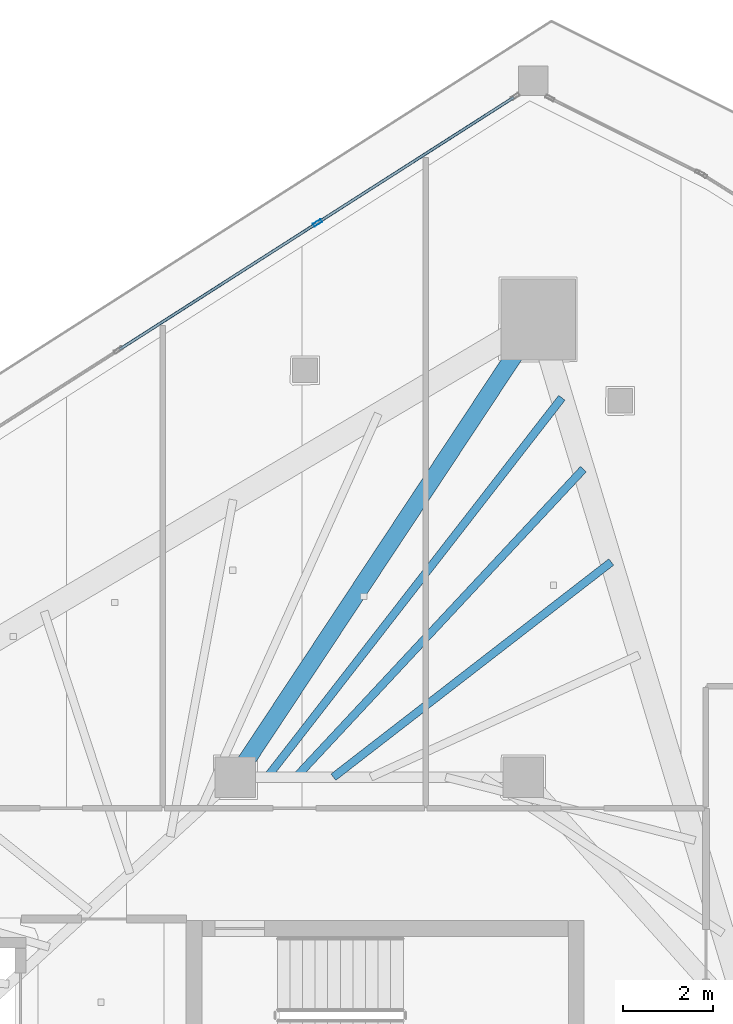
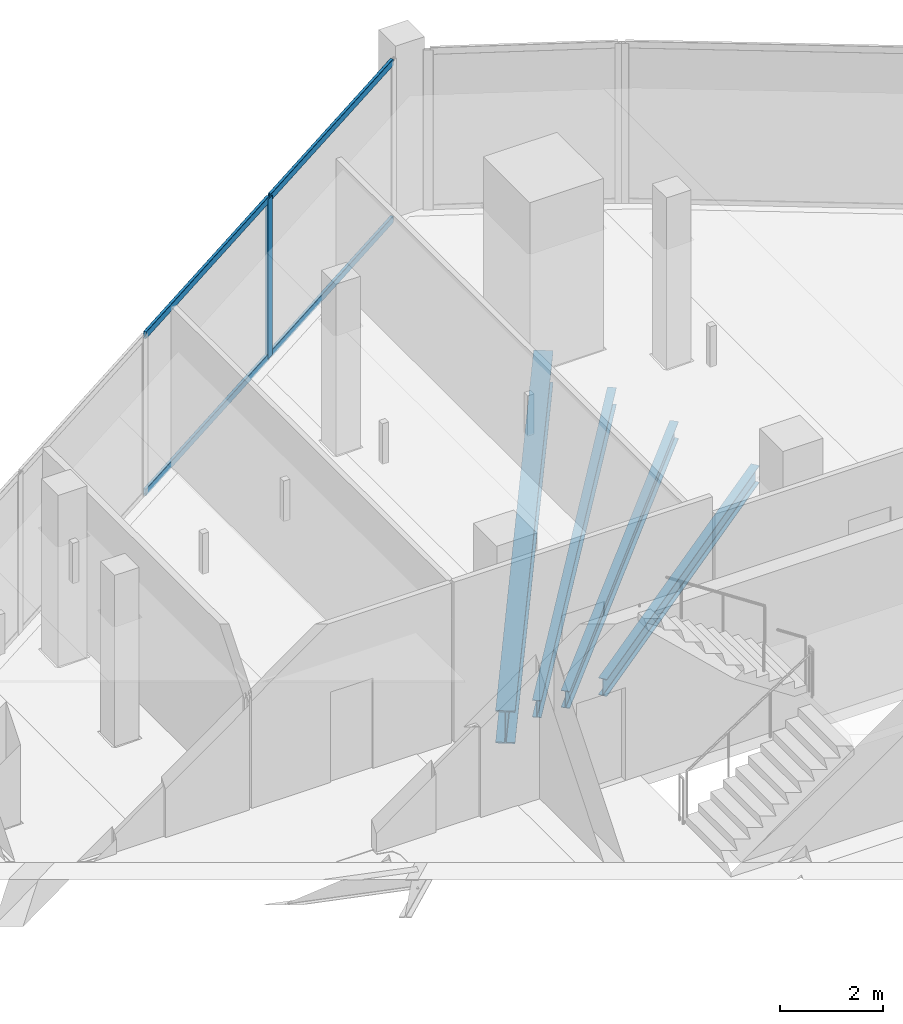
# One storey, part 20 of 36: 5 members, 4 beams, 1 element without a shape of its own.
"""IFC4 building model written with IfcOpenShell, lengths in metres."""

from ifc_helpers import new_model, si_unit, direction, frame, origin, origin_2d, place, context, subcontext, project, spatial, hollow_rectangle, i_section, extrude, material, layer, layer_set, material_profile, profile_set, type_object, element, aggregate, save


model = new_model("IFC4")

# Units and contexts
model_context = context("Model", 3, precision=1e-05, world=origin(), true_north=direction((0.0, 1.0)))
body_context = subcontext(model_context, "Body", "Model", "MODEL_VIEW")
ifc_project = project(units=[si_unit("LENGTHUNIT", "METRE"), si_unit("AREAUNIT", "SQUARE_METRE"), si_unit("VOLUMEUNIT", "CUBIC_METRE"), si_unit("PLANEANGLEUNIT", "RADIAN"), si_unit("MASSUNIT", "GRAM", prefix="KILO")], contexts=[model_context])

# Site, building, storey
site_placement = place(None, origin())
site = spatial("IfcSite", under=ifc_project, at=site_placement, CompositionType="ELEMENT")
building_placement = place(site_placement, origin())
building = spatial("IfcBuilding", under=site, at=building_placement, Name="Qorvath Tower", CompositionType="ELEMENT")
storey_placement = place(building_placement, frame((0.0, 0.0, 229.35009765625)))
storey = spatial("IfcBuildingStorey", under=building, at=storey_placement, Name="L53", CompositionType="ELEMENT", Elevation=229.35009765625)

# Beams
ifc_material_1 = material(Name="Steel ASTM A992 Grade 50", Category="steel")
ifc_material_profile_1 = material_profile(ifc_material_1, i_section(OverallWidth=0.381103515625, OverallDepth=0.77294921875, WebThickness=0.0166015625, FlangeThickness=0.027099609375, FilletRadius=0.01904296875, at=origin_2d()), Name="W30x173")
ifc_profile_set_1 = profile_set([ifc_material_profile_1], Name="Steel ASTM A992 Grade 50")
beam_type_1 = type_object("IfcBeamType", Name="BM-FG3", PredefinedType="BEAM", material=ifc_profile_set_1)
beam_1_placement = place(storey_placement, frame((-23.60009765625, 11.449951171875, -0.656494140625), z_axis=(0.551500517741, 0.834174549439, 0.0), x_axis=(-0.834174549439, 0.551500517741, 0.0)))
element("IfcBeam", 1, at=beam_1_placement, inside=storey, type_object=beam_type_1, Name="Radial Floor Girder CC1-MC6 L53", PredefinedType="BEAM", context=body_context, shape_type="SweptSolid", body=[
    extrude(i_section(OverallWidth=0.381103515625, OverallDepth=0.77294921875, WebThickness=0.0166015625, FlangeThickness=0.027099609375, FilletRadius=0.01904296875, at=origin_2d()), origin(), (0.0, 0.0, 1.0), 12.200439453125),
])
ifc_material_2 = material(Name="Steel ASTM A992 Grade 50", Category="steel")
ifc_material_profile_2 = material_profile(ifc_material_2, i_section(OverallWidth=0.177978515625, OverallDepth=0.406005859375, WebThickness=0.0078125, FlangeThickness=0.0126953125, FilletRadius=0.010986328125, at=origin_2d()), Name="W16x40")
ifc_profile_set_2 = profile_set([ifc_material_profile_2], Name="Steel ASTM A992 Grade 50")
beam_type_2 = type_object("IfcBeamType", Name="BM-FJ3", PredefinedType="JOIST", material=ifc_profile_set_2)
beam_2_placement = place(storey_placement, frame((-21.424072265625, 11.449951171875, -0.472900390625), z_axis=(0.790693445503, 0.612212279555, 0.0), x_axis=(-0.612212279555, 0.790693445503, 0.0)))
element("IfcBeam", 2, at=beam_2_placement, inside=storey, type_object=beam_type_2, Name="Composite Floor Joist NE5 L53", PredefinedType="JOIST", context=body_context, shape_type="SweptSolid", body=[
    extrude(i_section(OverallWidth=0.177978515625, OverallDepth=0.406005859375, WebThickness=0.0078125, FlangeThickness=0.0126953125, FilletRadius=0.010986328125, at=origin_2d()), origin(), (0.0, 0.0, 1.0), 7.810546875),
])
beam_3_placement = place(storey_placement, frame((-22.256103515625, 11.449951171875, -0.472900390625), z_axis=(0.682249490937, 0.731119437654, 0.0), x_axis=(-0.731119437654, 0.682249490937, 0.0)))
element("IfcBeam", 3, at=beam_3_placement, inside=storey, type_object=beam_type_2, Name="Composite Floor Joist NE6 L53", PredefinedType="JOIST", context=body_context, shape_type="SweptSolid", body=[
    extrude(i_section(OverallWidth=0.177978515625, OverallDepth=0.406005859375, WebThickness=0.0078125, FlangeThickness=0.0126953125, FilletRadius=0.010986328125, at=origin_2d()), origin(), (0.0, 0.0, 1.0), 9.362060546875),
])
beam_4_placement = place(storey_placement, frame((-22.89599609375, 11.449951171875, -0.472900390625), z_axis=(0.61345131907, 0.789732536452, 0.0), x_axis=(-0.789732536452, 0.61345131907, 0.0)))
element("IfcBeam", 4, at=beam_4_placement, inside=storey, type_object=beam_type_2, Name="Composite Floor Joist NE7 L53", PredefinedType="JOIST", context=body_context, shape_type="SweptSolid", body=[
    extrude(i_section(OverallWidth=0.177978515625, OverallDepth=0.406005859375, WebThickness=0.0078125, FlangeThickness=0.0126953125, FilletRadius=0.010986328125, at=origin_2d()), origin(), (0.0, 0.0, 1.0), 10.676513671875),
])

# Curtain wall, members
ifc_material_3 = material(Name="Anodised aluminium and triple low-E glass", Category="aluminium")
ifc_layer = layer(ifc_material_3, 0.179931640625)
ifc_layer_set = layer_set([ifc_layer], Name="CW-SYS-5")
curtain_wall_type = type_object("IfcCurtainWallType", Name="CW-SYS-5", PredefinedType="NOTDEFINED", material=ifc_layer_set)
curtain_wall_placement = place(storey_placement, origin())
curtain_wall = element("IfcCurtainWall", 5, at=curtain_wall_placement, inside=storey, type_object=curtain_wall_type, Name="Curtain Wall CW-5 CW-T-L53-18.1", PredefinedType="NOTDEFINED")
ifc_material_4 = material(Name="Anodised aluminium 6063-T6", Category="aluminium")
ifc_material_profile_3 = material_profile(ifc_material_4, hollow_rectangle(XDim=0.074951171875, YDim=0.199951171875, WallThickness=0.00390625, InnerFilletRadius=0.00390625, OuterFilletRadius=0.008056640625, at=origin_2d()), Name="CWM 200x75")
ifc_profile_set_3 = profile_set([ifc_material_profile_3], Name="Anodised aluminium 6063-T6")
member_type_1 = type_object("IfcMemberType", Name="CWM-200", PredefinedType="MULLION", material=ifc_profile_set_3)
member_1_placement = place(storey_placement, frame((-21.77783203125, 23.769287109375, 0.0), z_axis=(0.0, 0.0, 1.0), x_axis=(0.538531098636, -0.842605634803, 0.0)))
member_1 = element("IfcMember", 6, at=member_1_placement, type_object=member_type_1, Name="CW-5 mullion 2", PredefinedType="MULLION", context=body_context, shape_type="SweptSolid", body=[
    extrude(hollow_rectangle(XDim=0.074951171875, YDim=0.199951171875, WallThickness=0.00390625, InnerFilletRadius=0.00390625, OuterFilletRadius=0.008056640625, at=origin_2d()), origin(), (0.0, 0.0, 1.0), 3.77978515625),
])
ifc_material_5 = material(Name="Anodised aluminium 6063-T6", Category="aluminium")
ifc_material_profile_4 = material_profile(ifc_material_5, hollow_rectangle(XDim=0.06494140625, YDim=0.159912109375, WallThickness=0.00341796875, InnerFilletRadius=0.00341796875, OuterFilletRadius=0.007080078125, at=origin_2d()), Name="CWT 160x65")
ifc_profile_set_4 = profile_set([ifc_material_profile_4], Name="Anodised aluminium 6063-T6")
member_type_2 = type_object("IfcMemberType", Name="CWT-160", PredefinedType="USERDEFINED", material=ifc_profile_set_4)
member_2_placement = place(storey_placement, frame((-17.41455078125, 26.55810546875, 0.032470703125), z_axis=(-0.842605874806, -0.538530723119, 0.0), x_axis=(0.538530723119, -0.842605874806, 0.0)))
member_2 = element("IfcMember", 7, at=member_2_placement, type_object=member_type_2, Name="CW-5 transom 1.1", ObjectType="TRANSOM", PredefinedType="USERDEFINED", context=body_context, shape_type="SweptSolid", body=[
    extrude(hollow_rectangle(XDim=0.06494140625, YDim=0.159912109375, WallThickness=0.00341796875, InnerFilletRadius=0.00341796875, OuterFilletRadius=0.007080078125, at=origin_2d()), origin(), (0.0, 0.0, 1.0), 5.140869140625),
])
member_3_placement = place(storey_placement, frame((-17.41455078125, 26.55810546875, 3.747314453125), z_axis=(-0.842605874806, -0.538530723119, 0.0), x_axis=(0.538530723119, -0.842605874806, 0.0)))
member_3 = element("IfcMember", 8, at=member_3_placement, type_object=member_type_2, Name="CW-5 transom 1.2", ObjectType="TRANSOM", PredefinedType="USERDEFINED", context=body_context, shape_type="SweptSolid", body=[
    extrude(hollow_rectangle(XDim=0.06494140625, YDim=0.159912109375, WallThickness=0.00341796875, InnerFilletRadius=0.00341796875, OuterFilletRadius=0.007080078125, at=origin_2d()), origin(), (0.0, 0.0, 1.0), 5.140869140625),
])
member_4_placement = place(storey_placement, frame((-21.809326171875, 23.7490234375, 0.032470703125), z_axis=(-0.842629113093, -0.538494361872, 0.0), x_axis=(0.538494361872, -0.842629113093, 0.0)))
member_4 = element("IfcMember", 9, at=member_4_placement, type_object=member_type_2, Name="CW-5 transom 2.1", ObjectType="TRANSOM", PredefinedType="USERDEFINED", context=body_context, shape_type="SweptSolid", body=[
    extrude(hollow_rectangle(XDim=0.06494140625, YDim=0.159912109375, WallThickness=0.00341796875, InnerFilletRadius=0.00341796875, OuterFilletRadius=0.007080078125, at=origin_2d()), origin(), (0.0, 0.0, 1.0), 5.178466796875),
])
member_5_placement = place(storey_placement, frame((-21.809326171875, 23.7490234375, 3.747314453125), z_axis=(-0.842629113093, -0.538494361872, 0.0), x_axis=(0.538494361872, -0.842629113093, 0.0)))
member_5 = element("IfcMember", 10, at=member_5_placement, type_object=member_type_2, Name="CW-5 transom 2.2", ObjectType="TRANSOM", PredefinedType="USERDEFINED", context=body_context, shape_type="SweptSolid", body=[
    extrude(hollow_rectangle(XDim=0.06494140625, YDim=0.159912109375, WallThickness=0.00341796875, InnerFilletRadius=0.00341796875, OuterFilletRadius=0.007080078125, at=origin_2d()), origin(), (0.0, 0.0, 1.0), 5.178466796875),
])
aggregate(curtain_wall, [member_1, member_2, member_3, member_4, member_5])

save(model, "model.ifc")
